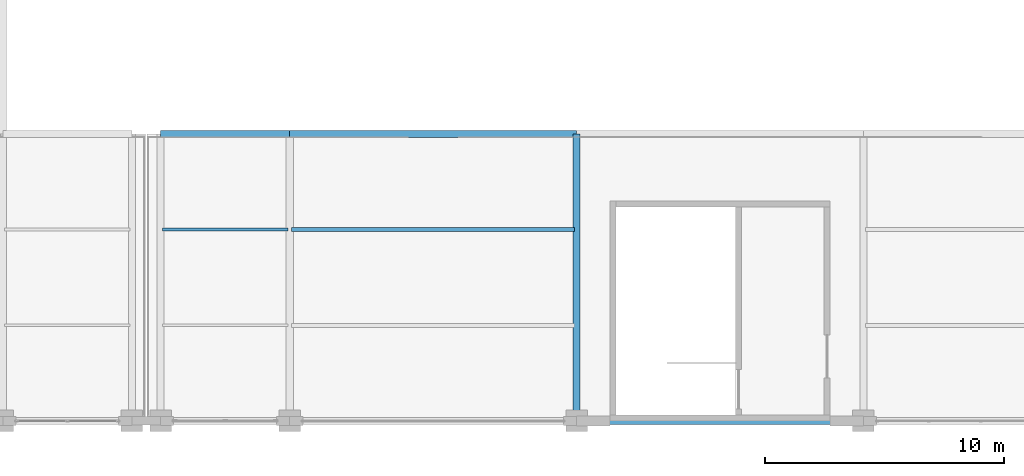
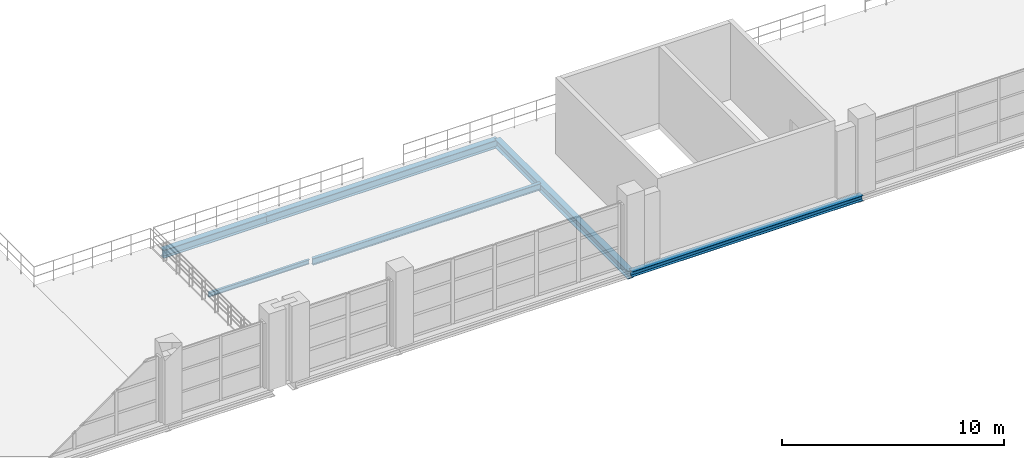
# One storey, part 64 of 158: 6 beams.
"""IFC4 building model written with IfcOpenShell, lengths in metres."""

from ifc_helpers import new_model, si_unit, direction, frame, origin, origin_2d, place, context, subcontext, project, spatial, i_section, extrude, material, material_profile, profile_set, type_object, element, save


model = new_model("IFC4")

# Units and contexts
model_context = context("Model", 3, precision=1e-05, world=origin(), true_north=direction((0.0, 1.0)))
body_context = subcontext(model_context, "Body", "Model", "MODEL_VIEW")
ifc_project = project(units=[si_unit("LENGTHUNIT", "METRE"), si_unit("AREAUNIT", "SQUARE_METRE"), si_unit("VOLUMEUNIT", "CUBIC_METRE"), si_unit("PLANEANGLEUNIT", "RADIAN"), si_unit("MASSUNIT", "GRAM", prefix="KILO")], contexts=[model_context])

# Site, building, storey
site_placement = place(None, origin())
site = spatial("IfcSite", under=ifc_project, at=site_placement, CompositionType="ELEMENT")
building_placement = place(site_placement, origin())
building = spatial("IfcBuilding", under=site, at=building_placement, Name="Zilviju Railside Exhibition Hall", CompositionType="ELEMENT")
storey_placement = place(building_placement, frame((0.0, 0.0, 4.199951171875)))
storey = spatial("IfcBuildingStorey", under=building, at=storey_placement, Name="L02", CompositionType="ELEMENT", Elevation=4.199951171875)

# Beams
ifc_material = material(Name="Steel S355J2", Category="steel")
ifc_material_profile_1 = material_profile(ifc_material, i_section(OverallWidth=0.300048828125, OverallDepth=0.2900390625, WebThickness=0.008544921875, FlangeThickness=0.013916015625, at=origin_2d()), Name="HEA 300")
ifc_profile_set_1 = profile_set([ifc_material_profile_1], Name="Steel S355J2")
beam_type_1 = type_object("IfcBeamType", Name="BM-HEA300", PredefinedType="SPANDREL", material=ifc_profile_set_1)
beam_1_placement = place(storey_placement, frame((144.0, 0.0, -0.474853515625), z_axis=(1.0, 0.0, 0.0), x_axis=(0.0, 1.0, 0.0)))
element("IfcBeam", 1, at=beam_1_placement, inside=storey, type_object=beam_type_1, Name="Primary Girder L02 Y=0.0 (144.0..156.0)", PredefinedType="SPANDREL", context=body_context, shape_type="SweptSolid", body=[
    extrude(i_section(OverallWidth=0.300048828125, OverallDepth=0.2900390625, WebThickness=0.008544921875, FlangeThickness=0.013916015625, at=origin_2d()), origin(), (0.0, 0.0, 1.0), 12.0),
])
ifc_material_profile_2 = material_profile(ifc_material, i_section(OverallWidth=0.300048828125, OverallDepth=0.449951171875, WebThickness=0.013916015625, FlangeThickness=0.02587890625, at=origin_2d()), Name="HEB 450")
ifc_profile_set_2 = profile_set([ifc_material_profile_2], Name="Steel S355J2")
beam_type_2 = type_object("IfcBeamType", Name="BM-HEB450", PredefinedType="BEAM", material=ifc_profile_set_2)
beam_2_placement = place(storey_placement, frame((126.60009765625, 12.0, -0.554931640625), z_axis=(1.0, 0.0, 0.0), x_axis=(0.0, 1.0, 0.0)))
element("IfcBeam", 2, at=beam_2_placement, inside=storey, type_object=beam_type_2, Name="Primary Girder L02 Y=12.0 (126.6..132.0)", PredefinedType="BEAM", context=body_context, shape_type="SweptSolid", body=[
    extrude(i_section(OverallWidth=0.300048828125, OverallDepth=0.449951171875, WebThickness=0.013916015625, FlangeThickness=0.02587890625, at=origin_2d()), origin(), (0.0, 0.0, 1.0), 5.39990234375),
])
for number, where, z_axis, x_axis, name in (
    (3, (132.0, 12.0, -0.554931640625), (1.0, 0.0, 0.0), (0.0, 1.0, 0.0), "Primary Girder L02 Y=12.0 (132.0..144.0)"),
    (4, (144.0, 0.0, -0.554931640625), (0.0, 1.0, 0.0), (-1.0, 0.0, 0.0), "Transverse Girder L02 X=144.0 (0.0..12.0)"),
):
    element("IfcBeam", number, at=place(storey_placement, frame(where, z_axis=z_axis, x_axis=x_axis)), inside=storey, type_object=beam_type_2, Name=name, PredefinedType="BEAM", context=body_context, shape_type="SweptSolid", body=[
        extrude(i_section(OverallWidth=0.300048828125, OverallDepth=0.449951171875, WebThickness=0.013916015625, FlangeThickness=0.02587890625, at=origin_2d()), origin(), (0.0, 0.0, 1.0), 12.0),
    ])
ifc_material_profile_3 = material_profile(ifc_material, i_section(OverallWidth=0.1201171875, OverallDepth=0.239990234375, WebThickness=0.006103515625, FlangeThickness=0.009765625, at=origin_2d()), Name="IPE 240")
ifc_profile_set_3 = profile_set([ifc_material_profile_3], Name="Steel S355J2")
beam_type_3 = type_object("IfcBeamType", Name="BM-IPE240", PredefinedType="JOIST", material=ifc_profile_set_3)
beam_3_placement = place(storey_placement, frame((126.679931640625, 8.0, -0.449951171875), z_axis=(1.0, 0.0, 0.0), x_axis=(0.0, 1.0, 0.0)))
element("IfcBeam", 5, at=beam_3_placement, inside=storey, type_object=beam_type_3, Name="Composite Floor Joist L02 Y=8.00 (126.6..132.0)", PredefinedType="JOIST", context=body_context, shape_type="SweptSolid", body=[
    extrude(i_section(OverallWidth=0.1201171875, OverallDepth=0.239990234375, WebThickness=0.006103515625, FlangeThickness=0.009765625, at=origin_2d()), origin(), (0.0, 0.0, 1.0), 5.239990234375),
])
ifc_material_profile_4 = material_profile(ifc_material, i_section(OverallWidth=0.169921875, OverallDepth=0.360107421875, WebThickness=0.008056640625, FlangeThickness=0.0126953125, at=origin_2d()), Name="IPE 360")
ifc_profile_set_4 = profile_set([ifc_material_profile_4], Name="Steel S355J2")
beam_type_4 = type_object("IfcBeamType", Name="BM-IPE360", PredefinedType="JOIST", material=ifc_profile_set_4)
beam_4_placement = place(storey_placement, frame((132.080078125, 8.0, -0.510009765625), z_axis=(1.0, 0.0, 0.0), x_axis=(0.0, 1.0, 0.0)))
element("IfcBeam", 6, at=beam_4_placement, inside=storey, type_object=beam_type_4, Name="Composite Floor Joist L02 Y=8.00 (132.0..144.0)", PredefinedType="JOIST", context=body_context, shape_type="SweptSolid", body=[
    extrude(i_section(OverallWidth=0.169921875, OverallDepth=0.360107421875, WebThickness=0.008056640625, FlangeThickness=0.0126953125, at=origin_2d()), origin(), (0.0, 0.0, 1.0), 11.83984375),
])

save(model, "model.ifc")
